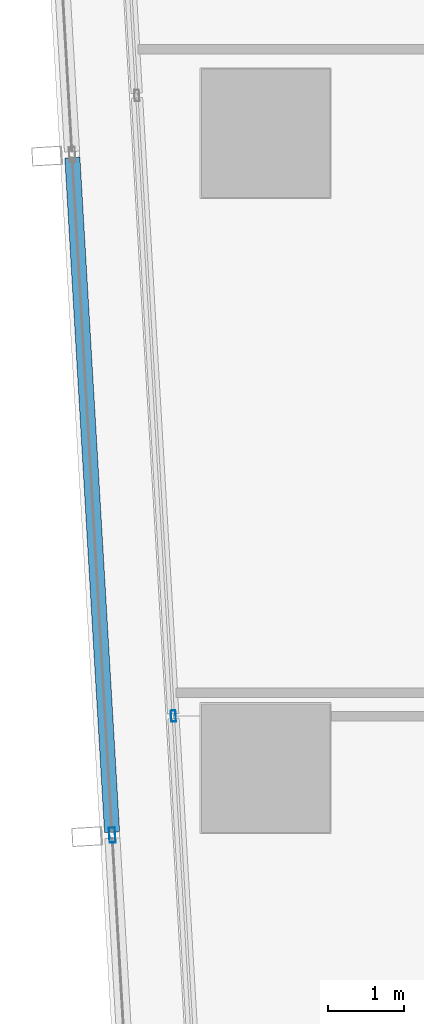
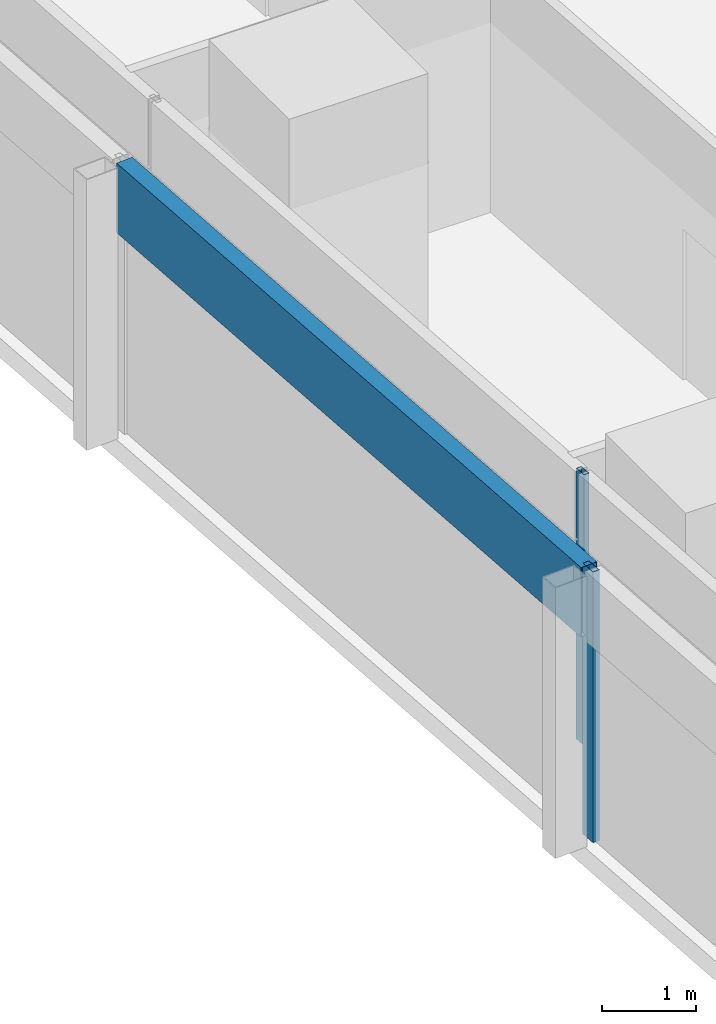
# One storey, part 5 of 39: 3 members, 2 elements without a shape of their own.
"""IFC4 building model written with IfcOpenShell, lengths in metres."""

from ifc_helpers import new_model, si_unit, direction, frame, origin, origin_2d, place, context, subcontext, project, spatial, hollow_rectangle, extrude, material, material_profile, profile_set, type_object, element, aggregate, save


model = new_model("IFC4")

# Units and contexts
model_context = context("Model", 3, precision=1e-05, world=origin(), true_north=direction((0.0, 1.0)))
body_context = subcontext(model_context, "Body", "Model", "MODEL_VIEW")
ifc_project = project(units=[si_unit("LENGTHUNIT", "METRE"), si_unit("AREAUNIT", "SQUARE_METRE"), si_unit("VOLUMEUNIT", "CUBIC_METRE"), si_unit("PLANEANGLEUNIT", "RADIAN"), si_unit("MASSUNIT", "GRAM", prefix="KILO")], contexts=[model_context])

# Site, building, storey
site_placement = place(None, origin())
site = spatial("IfcSite", under=ifc_project, at=site_placement, CompositionType="ELEMENT")
building_placement = place(site_placement, origin())
building = spatial("IfcBuilding", under=site, at=building_placement, Name="Rekha Terrace Tower", CompositionType="ELEMENT")
storey_placement = place(building_placement, frame((0.0, 0.0, 180.199951171875)))
storey = spatial("IfcBuildingStorey", under=building, at=storey_placement, Name="L45", CompositionType="ELEMENT", Elevation=180.199951171875)

# Curtain wall, member
ifc_material_1 = material(Name="Aluminium framing", Category="aluminium")
curtain_wall_type_1 = type_object("IfcCurtainWallType", Name="CW1 double skin inner glazing", PredefinedType="USERDEFINED", material=ifc_material_1)
curtain_wall_1_placement = place(storey_placement, origin())
curtain_wall_1 = element("IfcCurtainWall", 1, at=curtain_wall_1_placement, inside=storey, type_object=curtain_wall_type_1, Name="CW1 double skin inner glazing", ObjectType="DOUBLE SKIN INNER GLAZING", PredefinedType="USERDEFINED")
ifc_material_2 = material(Name="Aluminium mullion section", Category="aluminium")
ifc_material_profile_1 = material_profile(ifc_material_2, hollow_rectangle(XDim=0.06494140625, YDim=0.14990234375, WallThickness=0.00390625, at=origin_2d()), Name="AL RHS 65x150")
ifc_profile_set_1 = profile_set([ifc_material_profile_1], Name="Aluminium mullion section")
member_type_1 = type_object("IfcMemberType", Name="CW1 mullion RHS 65 x 150", PredefinedType="MULLION", material=ifc_profile_set_1)
member_1_placement = place(storey_placement, frame((7.1796875, 25.888427734375, 0.0), z_axis=(0.0, 0.0, 1.0), x_axis=(0.998271839267, 0.058765082551, 0.0)))
member_1 = element("IfcMember", 2, at=member_1_placement, type_object=member_type_1, Name="CW1 mullion 3", PredefinedType="MULLION", context=body_context, shape_type="SweptSolid", body=[
    extrude(hollow_rectangle(XDim=0.06494140625, YDim=0.14990234375, WallThickness=0.00390625, at=origin_2d()), origin(), (0.0, 0.0, 1.0), 3.5),
])
aggregate(curtain_wall_1, [member_1])

# Curtain wall, members
curtain_wall_type_2 = type_object("IfcCurtainWallType", Name="CW2 double skin outer glazing", PredefinedType="USERDEFINED", material=ifc_material_1)
curtain_wall_2_placement = place(storey_placement, origin())
curtain_wall_2 = element("IfcCurtainWall", 3, at=curtain_wall_2_placement, inside=storey, type_object=curtain_wall_type_2, Name="CW2 double skin outer glazing", ObjectType="DOUBLE SKIN OUTER GLAZING", PredefinedType="USERDEFINED")
ifc_material_profile_2 = material_profile(ifc_material_2, hollow_rectangle(XDim=0.080078125, YDim=0.199951171875, WallThickness=0.00390625, at=origin_2d()), Name="AL RHS 80x200")
ifc_profile_set_2 = profile_set([ifc_material_profile_2], Name="Aluminium mullion section")
member_type_2 = type_object("IfcMemberType", Name="CW2 mullion RHS 80 x 200", PredefinedType="MULLION", material=ifc_profile_set_2)
member_2_placement = place(storey_placement, frame((6.370849609375, 24.31201171875, 0.0), z_axis=(0.0, 0.0, 1.0), x_axis=(0.99827183927, 0.058765082499, 0.0)))
member_2 = element("IfcMember", 4, at=member_2_placement, type_object=member_type_2, Name="CW2 mullion 3", PredefinedType="MULLION", context=body_context, shape_type="SweptSolid", body=[
    extrude(hollow_rectangle(XDim=0.080078125, YDim=0.199951171875, WallThickness=0.00390625, at=origin_2d()), origin(), (0.0, 0.0, 1.0), 3.5),
])
ifc_material_3 = material(Name="Insulated aluminium spandrel box", Category="aluminium")
ifc_material_profile_3 = material_profile(ifc_material_3, hollow_rectangle(XDim=0.199951171875, YDim=0.89990234375, WallThickness=0.0029296875, at=origin_2d()), Name="AL SPANDREL BOX 200x900")
ifc_profile_set_3 = profile_set([ifc_material_profile_3], Name="Insulated aluminium spandrel box")
member_type_3 = type_object("IfcMemberType", Name="CW2 spandrel transom 200 x 900", PredefinedType="USERDEFINED", material=ifc_profile_set_3)
member_3_placement = place(storey_placement, frame((5.843017578125, 33.27978515625, 3.050048828125), z_axis=(0.058773229711, -0.998271359636, 0.0), x_axis=(0.998271359636, 0.058773229711, 0.0)))
member_3 = element("IfcMember", 5, at=member_3_placement, type_object=member_type_3, Name="CW2 spandrel transom 2", ObjectType="TRANSOM", PredefinedType="USERDEFINED", context=body_context, shape_type="SweptSolid", body=[
    extrude(hollow_rectangle(XDim=0.199951171875, YDim=0.89990234375, WallThickness=0.0029296875, at=origin_2d()), origin(), (0.0, 0.0, 1.0), 8.943359375),
])
aggregate(curtain_wall_2, [member_2, member_3])

save(model, "model.ifc")
